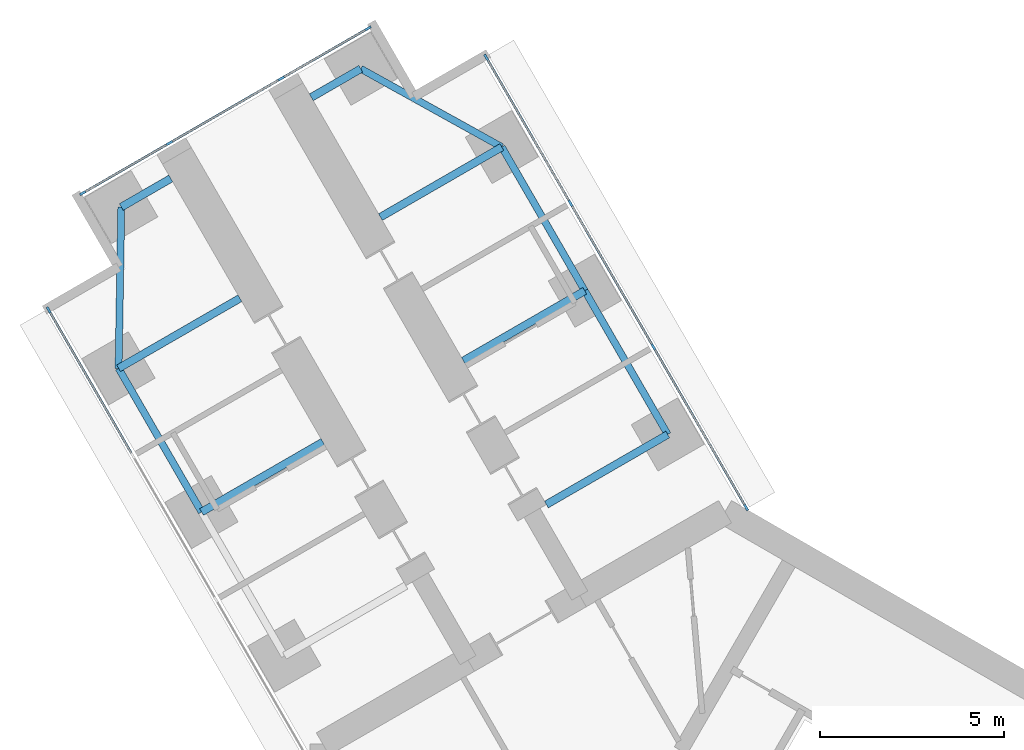
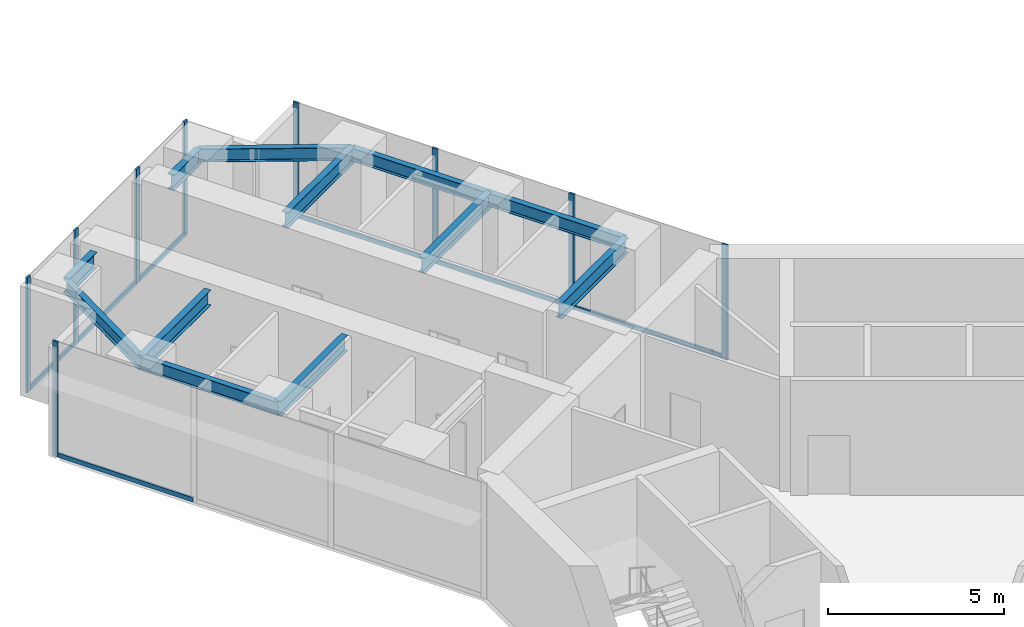
# One storey, part 7 of 24: 16 members, 12 beams, 3 elements without a shape of their own.
"""IFC4 building model written with IfcOpenShell, lengths in metres."""

from ifc_helpers import new_model, si_unit, direction, frame, origin, origin_2d, place, context, subcontext, project, spatial, rectangle, i_section, extrude, material, material_profile, profile_set, type_object, element, aggregate, save


model = new_model("IFC4")

# Units and contexts
model_context = context("Model", 3, precision=1e-05, world=origin(), true_north=direction((0.0, 1.0)))
body_context = subcontext(model_context, "Body", "Model", "MODEL_VIEW")
ifc_project = project(units=[si_unit("LENGTHUNIT", "METRE"), si_unit("AREAUNIT", "SQUARE_METRE"), si_unit("VOLUMEUNIT", "CUBIC_METRE"), si_unit("PLANEANGLEUNIT", "RADIAN"), si_unit("MASSUNIT", "GRAM", prefix="KILO")], contexts=[model_context])

# Site, building, storey
site_placement = place(None, origin())
site = spatial("IfcSite", under=ifc_project, at=site_placement, CompositionType="ELEMENT")
building_placement = place(site_placement, origin())
building = spatial("IfcBuilding", under=site, at=building_placement, Name="Upepo Twin Towers", CompositionType="ELEMENT")
storey_placement = place(building_placement, frame((0.0, 0.0, 68.5)))
storey = spatial("IfcBuildingStorey", under=building, at=storey_placement, Name="L16", CompositionType="ELEMENT", Elevation=68.5)

# Beams
ifc_material_1 = material(Name="Steel S355", Category="steel")
ifc_material_profile_1 = material_profile(ifc_material_1, i_section(OverallWidth=0.1904296875, OverallDepth=0.45703125, WebThickness=0.009033203125, FlangeThickness=0.014404296875, FilletRadius=0.01025390625, at=origin_2d()), Name="UB 457x191x74")
ifc_profile_set_1 = profile_set([ifc_material_profile_1], Name="Steel S355")
beam_type_1 = type_object("IfcBeamType", Name="Beam UB 457x191x74", PredefinedType="BEAM", material=ifc_profile_set_1)
beam_1_placement = place(storey_placement, frame((-14.196044921875, 12.58837890625, 3.571533203125), z_axis=(-0.499990139034, 0.866031096941, 0.0), x_axis=(-0.866031096941, -0.499990139034, 0.0)))
element("IfcBeam", 1, at=beam_1_placement, inside=storey, type_object=beam_type_1, Name="T1 edge beam BL 18.0-22.5", PredefinedType="BEAM", context=body_context, shape_type="SweptSolid", body=[
    extrude(i_section(OverallWidth=0.1904296875, OverallDepth=0.45703125, WebThickness=0.009033203125, FlangeThickness=0.014404296875, FilletRadius=0.01025390625, at=origin_2d()), origin(), (0.0, 0.0, 1.0), 4.5),
])
beam_2_placement = place(storey_placement, frame((-16.446044921875, 16.485595703125, 3.571533203125), z_axis=(0.016803880528, 0.999858804832, 0.0), x_axis=(-0.999858804832, 0.016803880528, 0.0)))
element("IfcBeam", 2, at=beam_2_placement, inside=storey, type_object=beam_type_1, Name="T1 nose edge beam BL", PredefinedType="BEAM", context=body_context, shape_type="SweptSolid", body=[
    extrude(i_section(OverallWidth=0.1904296875, OverallDepth=0.45703125, WebThickness=0.009033203125, FlangeThickness=0.014404296875, FilletRadius=0.01025390625, at=origin_2d()), origin(), (0.0, 0.0, 1.0), 4.373291015625),
])
beam_3_placement = place(storey_placement, frame((-1.553955078125, 14.69140625, 3.571533203125), z_axis=(-0.500013631625, 0.866017533419, 0.0), x_axis=(-0.866017533419, -0.500013631625, 0.0)))
element("IfcBeam", 3, at=beam_3_placement, inside=storey, type_object=beam_type_1, Name="T1 edge beam BR 13.5-18.0", PredefinedType="BEAM", context=body_context, shape_type="SweptSolid", body=[
    extrude(i_section(OverallWidth=0.1904296875, OverallDepth=0.45703125, WebThickness=0.009033203125, FlangeThickness=0.014404296875, FilletRadius=0.01025390625, at=origin_2d()), origin(), (0.0, 0.0, 1.0), 4.499755859375),
])
beam_4_placement = place(storey_placement, frame((-3.803955078125, 18.58837890625, 3.571533203125), z_axis=(-0.499990139034, 0.866031096941, 0.0), x_axis=(-0.866031096941, -0.499990139034, 0.0)))
element("IfcBeam", 4, at=beam_4_placement, inside=storey, type_object=beam_type_1, Name="T1 edge beam BR 18.0-22.5", PredefinedType="BEAM", context=body_context, shape_type="SweptSolid", body=[
    extrude(i_section(OverallWidth=0.1904296875, OverallDepth=0.45703125, WebThickness=0.009033203125, FlangeThickness=0.014404296875, FilletRadius=0.01025390625, at=origin_2d()), origin(), (0.0, 0.0, 1.0), 4.5),
])
beam_5_placement = place(storey_placement, frame((-6.053955078125, 22.485595703125, 3.571533203125), z_axis=(-0.874312600038, 0.485363242752, 0.0), x_axis=(-0.485363242752, -0.874312600038, 0.0)))
element("IfcBeam", 5, at=beam_5_placement, inside=storey, type_object=beam_type_1, Name="T1 nose edge beam BR", PredefinedType="BEAM", context=body_context, shape_type="SweptSolid", body=[
    extrude(i_section(OverallWidth=0.1904296875, OverallDepth=0.45703125, WebThickness=0.009033203125, FlangeThickness=0.014404296875, FilletRadius=0.01025390625, at=origin_2d()), origin(), (0.0, 0.0, 1.0), 4.373046875),
])
ifc_material_2 = material(Name="Steel S355", Category="steel")
ifc_material_profile_2 = material_profile(ifc_material_2, i_section(OverallWidth=0.2119140625, OverallDepth=0.54443359375, WebThickness=0.0126953125, FlangeThickness=0.021240234375, FilletRadius=0.0126953125, at=origin_2d()), Name="UB 533x210x122")
ifc_profile_set_2 = profile_set([ifc_material_profile_2], Name="Steel S355")
beam_type_2 = type_object("IfcBeamType", Name="Beam UB 533x210x122", PredefinedType="BEAM", material=ifc_profile_set_2)
for number, where, z_axis, x_axis, name in (
    (6, (-16.37255859375, 20.858154296875, 3.52783203125), (0.866043940782, 0.499967891604, 0.0), (-0.499967891604, 0.866043940782, 0.0), "T1 nose beam BL"),
    (7, (-9.87744140625, 24.608154296875, 3.52783203125), (-0.866043940782, -0.499967891604, 0.0), (0.499967891604, -0.866043940782, 0.0), "T1 nose beam BR"),
):
    element("IfcBeam", number, at=place(storey_placement, frame(where, z_axis=z_axis, x_axis=x_axis)), inside=storey, type_object=beam_type_2, Name=name, PredefinedType="BEAM", context=body_context, shape_type="SweptSolid", body=[
        extrude(i_section(OverallWidth=0.2119140625, OverallDepth=0.54443359375, WebThickness=0.0126953125, FlangeThickness=0.021240234375, FilletRadius=0.0126953125, at=origin_2d()), origin(), (0.0, 0.0, 1.0), 1.5498046875),
    ])
ifc_material_3 = material(Name="Steel S355", Category="steel")
ifc_material_profile_3 = material_profile(ifc_material_3, i_section(OverallWidth=0.209228515625, OverallDepth=0.533203125, WebThickness=0.010009765625, FlangeThickness=0.015625, FilletRadius=0.0126953125, at=origin_2d()), Name="UB 533x210x92")
ifc_profile_set_3 = profile_set([ifc_material_profile_3], Name="Steel S355")
beam_type_3 = type_object("IfcBeamType", Name="Beam UB 533x210x92", PredefinedType="BEAM", material=ifc_profile_set_3)
beam_6_placement = place(storey_placement, frame((-14.196044921875, 12.58837890625, 3.533447265625), z_axis=(0.866000483506, 0.500043160704, 0.0), x_axis=(-0.500043160704, 0.866000483506, 0.0)))
element("IfcBeam", 8, at=beam_6_placement, inside=storey, type_object=beam_type_3, Name="T1 girder BL at 18.0", PredefinedType="BEAM", context=body_context, shape_type="SweptSolid", body=[
    extrude(i_section(OverallWidth=0.209228515625, OverallDepth=0.533203125, WebThickness=0.010009765625, FlangeThickness=0.015625, FilletRadius=0.0126953125, at=origin_2d()), origin(), (0.0, 0.0, 1.0), 3.800048828125),
])
beam_7_placement = place(storey_placement, frame((-16.446044921875, 16.485595703125, 3.533447265625), z_axis=(0.866028304915, 0.499994975061, 0.0), x_axis=(-0.499994975061, 0.866028304915, 0.0)))
element("IfcBeam", 9, at=beam_7_placement, inside=storey, type_object=beam_type_3, Name="T1 girder BL at 22.5", PredefinedType="BEAM", context=body_context, shape_type="SweptSolid", body=[
    extrude(i_section(OverallWidth=0.209228515625, OverallDepth=0.533203125, WebThickness=0.010009765625, FlangeThickness=0.015625, FilletRadius=0.0126953125, at=origin_2d()), origin(), (0.0, 0.0, 1.0), 3.7998046875),
])
beam_8_placement = place(storey_placement, frame((-1.553955078125, 14.69140625, 3.533447265625), z_axis=(-0.866000483506, -0.500043160704, 0.0), x_axis=(0.500043160704, -0.866000483506, 0.0)))
element("IfcBeam", 10, at=beam_8_placement, inside=storey, type_object=beam_type_3, Name="T1 girder BR at 13.5", PredefinedType="BEAM", context=body_context, shape_type="SweptSolid", body=[
    extrude(i_section(OverallWidth=0.209228515625, OverallDepth=0.533203125, WebThickness=0.010009765625, FlangeThickness=0.015625, FilletRadius=0.0126953125, at=origin_2d()), origin(), (0.0, 0.0, 1.0), 3.800048828125),
])
for number, where, z_axis, x_axis, name in (
    (11, (-3.803955078125, 18.58837890625, 3.533447265625), (-0.866028304915, -0.499994975061, 0.0), (0.499994975061, -0.866028304915, 0.0), "T1 girder BR at 18.0"),
    (12, (-6.053955078125, 22.485595703125, 3.533447265625), (-0.866028304915, -0.499994975061, 0.0), (0.499994975061, -0.866028304915, 0.0), "T1 girder BR at 22.5"),
):
    element("IfcBeam", number, at=place(storey_placement, frame(where, z_axis=z_axis, x_axis=x_axis)), inside=storey, type_object=beam_type_3, Name=name, PredefinedType="BEAM", context=body_context, shape_type="SweptSolid", body=[
        extrude(i_section(OverallWidth=0.209228515625, OverallDepth=0.533203125, WebThickness=0.010009765625, FlangeThickness=0.015625, FilletRadius=0.0126953125, at=origin_2d()), origin(), (0.0, 0.0, 1.0), 3.7998046875),
    ])

# Curtain wall, member
ifc_material_4 = material(Name="Aluminium and fritted glass", Category="aluminium")
curtain_wall_type = type_object("IfcCurtainWallType", Name="Tower curtain wall TW1, fritted glass", PredefinedType="NOTDEFINED", material=ifc_material_4)
curtain_wall_1_placement = place(storey_placement, origin())
curtain_wall_1 = element("IfcCurtainWall", 13, at=curtain_wall_1_placement, inside=storey, type_object=curtain_wall_type, Name="T1 L16 wing B flank L curtain wall", PredefinedType="NOTDEFINED")
ifc_material_5 = material(Name="Aluminium mullion", Category="aluminium")
ifc_material_profile_4 = material_profile(ifc_material_5, rectangle(XDim=0.06494140625, YDim=0.179931640625, at=origin_2d()), Name="MULLION 65x180")
ifc_profile_set_4 = profile_set([ifc_material_profile_4], Name="Aluminium mullion")
member_type_1 = type_object("IfcMemberType", Name="Mullion 65x180 TW1", PredefinedType="MULLION", material=ifc_profile_set_4)
member_1_placement = place(storey_placement, frame((-18.341064453125, 18.067626953125, 0.0), z_axis=(0.0, 0.0, 1.0), x_axis=(-0.866025389682, -0.500000024426, 0.0)))
member_1 = element("IfcMember", 14, at=member_1_placement, type_object=member_type_1, Name="T1 L16 wing B flank L curtain wall mullion 4", PredefinedType="MULLION", context=body_context, shape_type="SweptSolid", body=[
    extrude(rectangle(XDim=0.06494140625, YDim=0.179931640625, at=origin_2d()), origin(), (0.0, 0.0, 1.0), 4.0),
])

# Curtain wall, members
curtain_wall_2_placement = place(storey_placement, origin())
curtain_wall_2 = element("IfcCurtainWall", 15, at=curtain_wall_2_placement, inside=storey, type_object=curtain_wall_type, Name="T1 L16 wing B flank R curtain wall", PredefinedType="NOTDEFINED")
member_2_placement = place(storey_placement, frame((-6.4765625, 24.91748046875, 0.0), z_axis=(0.0, 0.0, 1.0), x_axis=(0.866025389682, 0.500000024426, 0.0)))
member_2 = element("IfcMember", 16, at=member_2_placement, type_object=member_type_1, Name="T1 L16 wing B flank R curtain wall mullion 1", PredefinedType="MULLION", context=body_context, shape_type="SweptSolid", body=[
    extrude(rectangle(XDim=0.06494140625, YDim=0.179931640625, at=origin_2d()), origin(), (0.0, 0.0, 1.0), 4.0),
])
member_3_placement = place(storey_placement, frame((-4.192626953125, 20.9619140625, 0.0), z_axis=(0.0, 0.0, 1.0), x_axis=(0.866025389682, 0.500000024426, 0.0)))
member_3 = element("IfcMember", 17, at=member_3_placement, type_object=member_type_1, Name="T1 L16 wing B flank R curtain wall mullion 2", PredefinedType="MULLION", context=body_context, shape_type="SweptSolid", body=[
    extrude(rectangle(XDim=0.06494140625, YDim=0.179931640625, at=origin_2d()), origin(), (0.0, 0.0, 1.0), 4.0),
])
member_4_placement = place(storey_placement, frame((-1.942626953125, 17.06494140625, 0.0), z_axis=(0.0, 0.0, 1.0), x_axis=(0.866025389682, 0.500000024426, 0.0)))
member_4 = element("IfcMember", 18, at=member_4_placement, type_object=member_type_1, Name="T1 L16 wing B flank R curtain wall mullion 3", PredefinedType="MULLION", context=body_context, shape_type="SweptSolid", body=[
    extrude(rectangle(XDim=0.06494140625, YDim=0.179931640625, at=origin_2d()), origin(), (0.0, 0.0, 1.0), 4.0),
])
member_5_placement = place(storey_placement, frame((0.572509765625, 12.70849609375, 0.0), z_axis=(0.0, 0.0, 1.0), x_axis=(0.866025389682, 0.500000024426, 0.0)))
member_5 = element("IfcMember", 19, at=member_5_placement, type_object=member_type_1, Name="T1 L16 wing B flank R curtain wall mullion 4", PredefinedType="MULLION", context=body_context, shape_type="SweptSolid", body=[
    extrude(rectangle(XDim=0.06494140625, YDim=0.179931640625, at=origin_2d()), origin(), (0.0, 0.0, 1.0), 4.0),
])

curtain_wall_3_placement = place(storey_placement, origin())
curtain_wall_3 = element("IfcCurtainWall", 20, at=curtain_wall_3_placement, inside=storey, type_object=curtain_wall_type, Name="T1 L16 wing B nose curtain wall", PredefinedType="NOTDEFINED")
member_6_placement = place(storey_placement, frame((-9.68115234375, 25.703125, 0.0), z_axis=(0.0, 0.0, 1.0), x_axis=(0.500000030502, -0.866025386174, 0.0)))
member_6 = element("IfcMember", 21, at=member_6_placement, type_object=member_type_1, Name="T1 L16 wing B nose curtain wall mullion 1", PredefinedType="MULLION", context=body_context, shape_type="SweptSolid", body=[
    extrude(rectangle(XDim=0.06494140625, YDim=0.179931640625, at=origin_2d()), origin(), (0.0, 0.0, 1.0), 4.0),
])
member_7_placement = place(storey_placement, frame((-12.034423828125, 24.34423828125, 0.0), z_axis=(0.0, 0.0, 1.0), x_axis=(0.500000030502, -0.866025386174, 0.0)))
member_7 = element("IfcMember", 22, at=member_7_placement, type_object=member_type_1, Name="T1 L16 wing B nose curtain wall mullion 2", PredefinedType="MULLION", context=body_context, shape_type="SweptSolid", body=[
    extrude(rectangle(XDim=0.06494140625, YDim=0.179931640625, at=origin_2d()), origin(), (0.0, 0.0, 1.0), 4.0),
])
member_8_placement = place(storey_placement, frame((-15.0654296875, 22.59423828125, 0.0), z_axis=(0.0, 0.0, 1.0), x_axis=(0.500000030502, -0.866025386174, 0.0)))
member_8 = element("IfcMember", 23, at=member_8_placement, type_object=member_type_1, Name="T1 L16 wing B nose curtain wall mullion 3", PredefinedType="MULLION", context=body_context, shape_type="SweptSolid", body=[
    extrude(rectangle(XDim=0.06494140625, YDim=0.179931640625, at=origin_2d()), origin(), (0.0, 0.0, 1.0), 4.0),
])
member_9_placement = place(storey_placement, frame((-17.4189453125, 21.235595703125, 0.0), z_axis=(0.0, 0.0, 1.0), x_axis=(0.500000030502, -0.866025386174, 0.0)))
member_9 = element("IfcMember", 24, at=member_9_placement, type_object=member_type_1, Name="T1 L16 wing B nose curtain wall mullion 4", PredefinedType="MULLION", context=body_context, shape_type="SweptSolid", body=[
    extrude(rectangle(XDim=0.06494140625, YDim=0.179931640625, at=origin_2d()), origin(), (0.0, 0.0, 1.0), 4.0),
])

# Member
ifc_material_6 = material(Name="Aluminium transom", Category="aluminium")
ifc_material_profile_5 = material_profile(ifc_material_6, rectangle(XDim=0.06494140625, YDim=0.14990234375, at=origin_2d()), Name="TRANSOM 65x150")
ifc_profile_set_5 = profile_set([ifc_material_profile_5], Name="Aluminium transom")
member_type_2 = type_object("IfcMemberType", Name="Transom 65x150 TW1", PredefinedType="USERDEFINED", material=ifc_profile_set_5)
member_10_placement = place(storey_placement, frame((-16.073486328125, 14.14013671875, 0.074951171875), z_axis=(-0.499982167615, 0.866035699072, 0.0), x_axis=(-0.866035699072, -0.499982167615, 0.0)))
member_10 = element("IfcMember", 25, at=member_10_placement, type_object=member_type_2, Name="T1 L16 wing B flank L curtain wall transom 3", ObjectType="TRANSOM", PredefinedType="USERDEFINED", context=body_context, shape_type="SweptSolid", body=[
    extrude(rectangle(XDim=0.06494140625, YDim=0.14990234375, at=origin_2d()), origin(), (0.0, 0.0, 1.0), 4.502685546875),
])

aggregate(curtain_wall_1, [member_1, member_10])

member_11_placement = place(storey_placement, frame((-6.460205078125, 24.889404296875, 0.074951171875), z_axis=(0.500005646842, -0.866022143554, 0.0), x_axis=(0.866022143554, 0.500005646842, 0.0)))
member_11 = element("IfcMember", 26, at=member_11_placement, type_object=member_type_2, Name="T1 L16 wing B flank R curtain wall transom 1", ObjectType="TRANSOM", PredefinedType="USERDEFINED", context=body_context, shape_type="SweptSolid", body=[
    extrude(rectangle(XDim=0.06494140625, YDim=0.14990234375, at=origin_2d()), origin(), (0.0, 0.0, 1.0), 4.50244140625),
])

member_12_placement = place(storey_placement, frame((-4.176513671875, 20.933837890625, 0.074951171875), z_axis=(0.500005184116, -0.866022410713, 0.0), x_axis=(0.866022410713, 0.500005184116, 0.0)))
member_12 = element("IfcMember", 27, at=member_12_placement, type_object=member_type_2, Name="T1 L16 wing B flank R curtain wall transom 2", ObjectType="TRANSOM", PredefinedType="USERDEFINED", context=body_context, shape_type="SweptSolid", body=[
    extrude(rectangle(XDim=0.06494140625, YDim=0.14990234375, at=origin_2d()), origin(), (0.0, 0.0, 1.0), 4.43505859375),
])

member_13_placement = place(storey_placement, frame((-1.926513671875, 17.036865234375, 0.074951171875), z_axis=(0.499983492876, -0.866034933967, 0.0), x_axis=(0.866034933967, 0.499983492876, 0.0)))
member_13 = element("IfcMember", 28, at=member_13_placement, type_object=member_type_2, Name="T1 L16 wing B flank R curtain wall transom 3", ObjectType="TRANSOM", PredefinedType="USERDEFINED", context=body_context, shape_type="SweptSolid", body=[
    extrude(rectangle(XDim=0.06494140625, YDim=0.14990234375, at=origin_2d()), origin(), (0.0, 0.0, 1.0), 4.965576171875),
])

aggregate(curtain_wall_2, [member_2, member_3, member_4, member_5, member_11, member_12, member_13])

member_14_placement = place(storey_placement, frame((-9.709228515625, 25.686767578125, 0.074951171875), z_axis=(-0.866036909293, -0.499980071345, 0.0), x_axis=(0.499980071345, -0.866036909293, 0.0)))
member_14 = element("IfcMember", 29, at=member_14_placement, type_object=member_type_2, Name="T1 L16 wing B nose curtain wall transom 1", ObjectType="TRANSOM", PredefinedType="USERDEFINED", context=body_context, shape_type="SweptSolid", body=[
    extrude(rectangle(XDim=0.06494140625, YDim=0.14990234375, at=origin_2d()), origin(), (0.0, 0.0, 1.0), 2.65234375),
])

member_15_placement = place(storey_placement, frame((-12.0625, 24.328125, 0.074951171875), z_axis=(-0.866025804792, -0.499999305434, 0.0), x_axis=(0.499999305434, -0.866025804792, 0.0)))
member_15 = element("IfcMember", 30, at=member_15_placement, type_object=member_type_2, Name="T1 L16 wing B nose curtain wall transom 2", ObjectType="TRANSOM", PredefinedType="USERDEFINED", context=body_context, shape_type="SweptSolid", body=[
    extrude(rectangle(XDim=0.06494140625, YDim=0.14990234375, at=origin_2d()), origin(), (0.0, 0.0, 1.0), 3.43505859375),
])

member_16_placement = place(storey_placement, frame((-15.09375, 22.578125, 0.074951171875), z_axis=(-0.865997053448, -0.500049101008, 0.0), x_axis=(0.500049101008, -0.865997053448, 0.0)))
member_16 = element("IfcMember", 31, at=member_16_placement, type_object=member_type_2, Name="T1 L16 wing B nose curtain wall transom 3", ObjectType="TRANSOM", PredefinedType="USERDEFINED", context=body_context, shape_type="SweptSolid", body=[
    extrude(rectangle(XDim=0.06494140625, YDim=0.14990234375, at=origin_2d()), origin(), (0.0, 0.0, 1.0), 2.652587890625),
])

aggregate(curtain_wall_3, [member_6, member_7, member_8, member_9, member_14, member_15, member_16])

save(model, "model.ifc")
